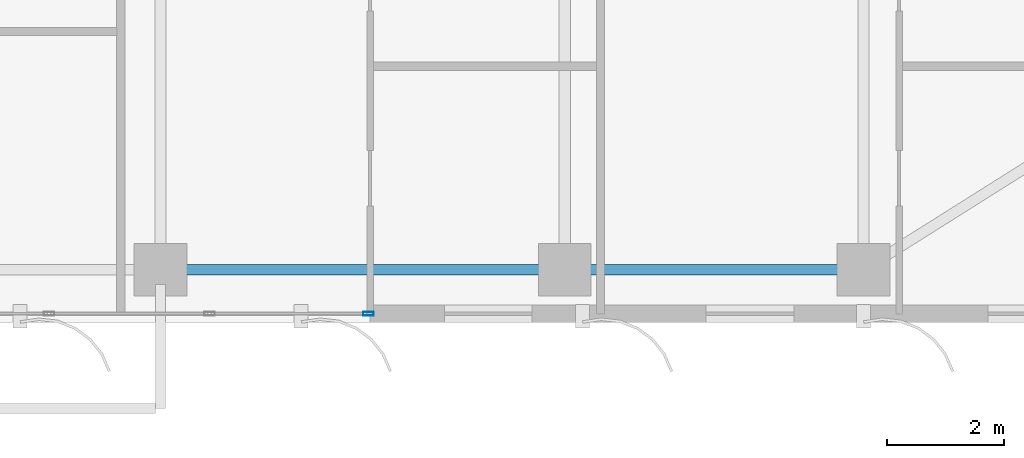
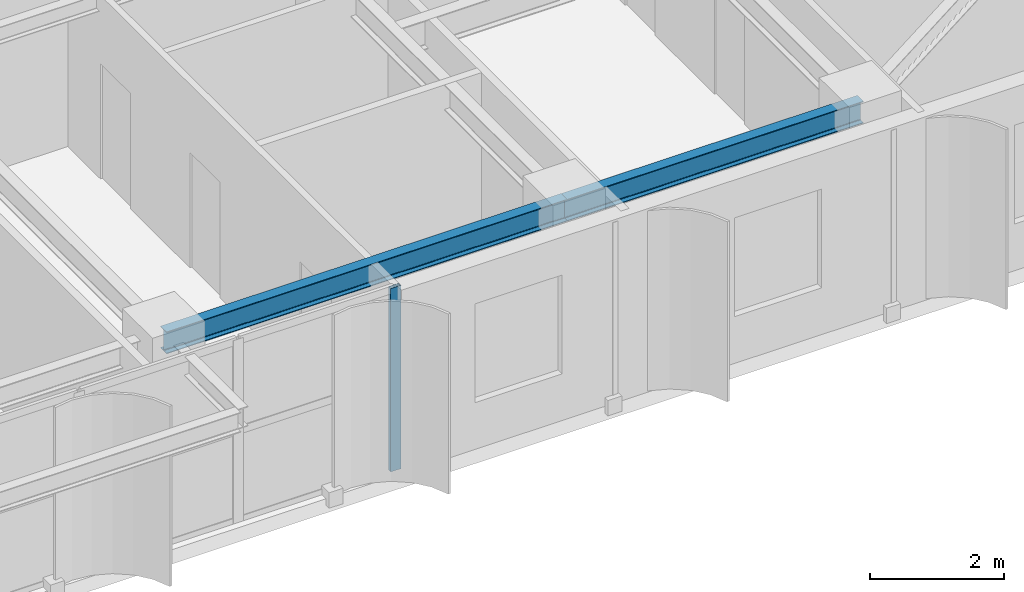
# One storey, part 3 of 21: 2 beams, 1 member, 1 element without a shape of its own.
"""IFC4 building model written with IfcOpenShell, lengths in metres."""

from ifc_helpers import new_model, si_unit, direction, frame, origin, origin_2d, place, context, subcontext, project, spatial, hollow_rectangle, i_section, extrude, source, transform, mapped, material, layer, layer_set, material_profile, profile_set, type_object, element, aggregate, save


model = new_model("IFC4")

# Units and contexts
model_context = context("Model", 3, precision=1e-05, world=origin(), true_north=direction((0.0, 1.0)))
body_context = subcontext(model_context, "Body", "Model", "MODEL_VIEW")
ifc_project = project(units=[si_unit("LENGTHUNIT", "METRE"), si_unit("AREAUNIT", "SQUARE_METRE"), si_unit("VOLUMEUNIT", "CUBIC_METRE"), si_unit("PLANEANGLEUNIT", "RADIAN"), si_unit("MASSUNIT", "GRAM", prefix="KILO")], contexts=[model_context])

# Site, building, storey
site_placement = place(None, origin())
site = spatial("IfcSite", under=ifc_project, at=site_placement, CompositionType="ELEMENT")
building_placement = place(site_placement, origin())
building = spatial("IfcBuilding", under=site, at=building_placement, Name="Khoralis Quay Care Tower", CompositionType="ELEMENT")
storey_placement = place(building_placement, frame((0.0, 0.0, 159.300048828125)))
storey = spatial("IfcBuildingStorey", under=building, at=storey_placement, Name="L41", CompositionType="ELEMENT", Elevation=159.300048828125)

# Beams
ifc_material_1 = material(Name="Steel S355", Category="steel")
ifc_material_profile_1 = material_profile(ifc_material_1, i_section(OverallWidth=0.179931640625, OverallDepth=0.39990234375, WebThickness=0.008544921875, FlangeThickness=0.013427734375, FilletRadius=0.02099609375, at=origin_2d()), Name="Steel S355")
ifc_profile_set_1 = profile_set([ifc_material_profile_1], Name="Steel S355")
beam_type = type_object("IfcBeamType", Name="BM-IPE400", PredefinedType="SPANDREL", material=ifc_profile_set_1)
shared_shape_1 = source(origin(), body_context, "Body", "SweptSolid", [
    extrude(i_section(OverallWidth=0.179931640625, OverallDepth=0.39990234375, WebThickness=0.008544921875, FlangeThickness=0.013427734375, FilletRadius=0.02099609375, at=origin_2d()), origin(), (0.0, 0.0, 1.0), 5.10009765625),
])
beam_1_placement = place(storey_placement, frame((30.89990234375, 0.89990234375, 3.139892578125), z_axis=(1.0, 0.0, 0.0), x_axis=(0.0, 1.0, 0.0)))
element("IfcBeam", 1, at=beam_1_placement, inside=storey, type_object=beam_type, Name="BM-TSP-L41-04", PredefinedType="SPANDREL", context=body_context, shape_type="MappedRepresentation", body=[
    mapped(shared_shape_1, transform((0.0, 0.0, 0.0), scale=1.0)),
])
shared_shape_2 = source(origin(), body_context, "Body", "SweptSolid", [
    extrude(i_section(OverallWidth=0.179931640625, OverallDepth=0.39990234375, WebThickness=0.008544921875, FlangeThickness=0.013427734375, FilletRadius=0.02099609375, at=origin_2d()), origin(), (0.0, 0.0, 1.0), 6.89990234375),
])
beam_2_placement = place(storey_placement, frame((24.0, 0.89990234375, 3.139892578125), z_axis=(1.0, 0.0, 0.0), x_axis=(0.0, 1.0, 0.0)))
element("IfcBeam", 2, at=beam_2_placement, inside=storey, type_object=beam_type, Name="BM-TSP-L41-03", PredefinedType="SPANDREL", context=body_context, shape_type="MappedRepresentation", body=[
    mapped(shared_shape_2, transform((0.0, 0.0, 0.0), scale=1.0)),
])

# Curtain wall, member
ifc_material_2 = material(Name="Pale anodised aluminium", Category="aluminium")
ifc_layer = layer(ifc_material_2, 0.159912109375)
ifc_layer_set = layer_set([ifc_layer], Name="Pale anodised aluminium")
curtain_wall_type = type_object("IfcCurtainWallType", Name="CW-SYS-Z3", PredefinedType="NOTDEFINED", material=ifc_layer_set)
curtain_wall_placement = place(storey_placement, origin())
curtain_wall = element("IfcCurtainWall", 3, at=curtain_wall_placement, inside=storey, type_object=curtain_wall_type, Name="L41 Unitised Curtain Wall CW-L41-P1-E0", PredefinedType="NOTDEFINED")
ifc_material_profile_2 = material_profile(ifc_material_2, hollow_rectangle(XDim=0.06494140625, YDim=0.179931640625, WallThickness=0.00390625, at=origin_2d()), Name="Pale anodised aluminium")
ifc_profile_set_2 = profile_set([ifc_material_profile_2], Name="Pale anodised aluminium")
member_type = type_object("IfcMemberType", Name="CW-MUL-180", PredefinedType="MULLION", material=ifc_profile_set_2)
shared_shape_3 = source(origin(), body_context, "Body", "SweptSolid", [
    extrude(hollow_rectangle(XDim=0.06494140625, YDim=0.179931640625, WallThickness=0.00390625, at=origin_2d()), origin(), (0.0, 0.0, 1.0), 3.33984375),
])
member_placement = place(storey_placement, frame((27.549072265625, 0.14990234375, 0.0), z_axis=(0.0, 0.0, 1.0), x_axis=(0.0, 1.0, 0.0)))
member = element("IfcMember", 4, at=member_placement, type_object=member_type, Name="CW3 mullion 4", PredefinedType="MULLION", context=body_context, shape_type="MappedRepresentation", body=[
    mapped(shared_shape_3, transform((0.0, 0.0, 0.0), scale=1.0)),
])
aggregate(curtain_wall, [member])

save(model, "model.ifc")
